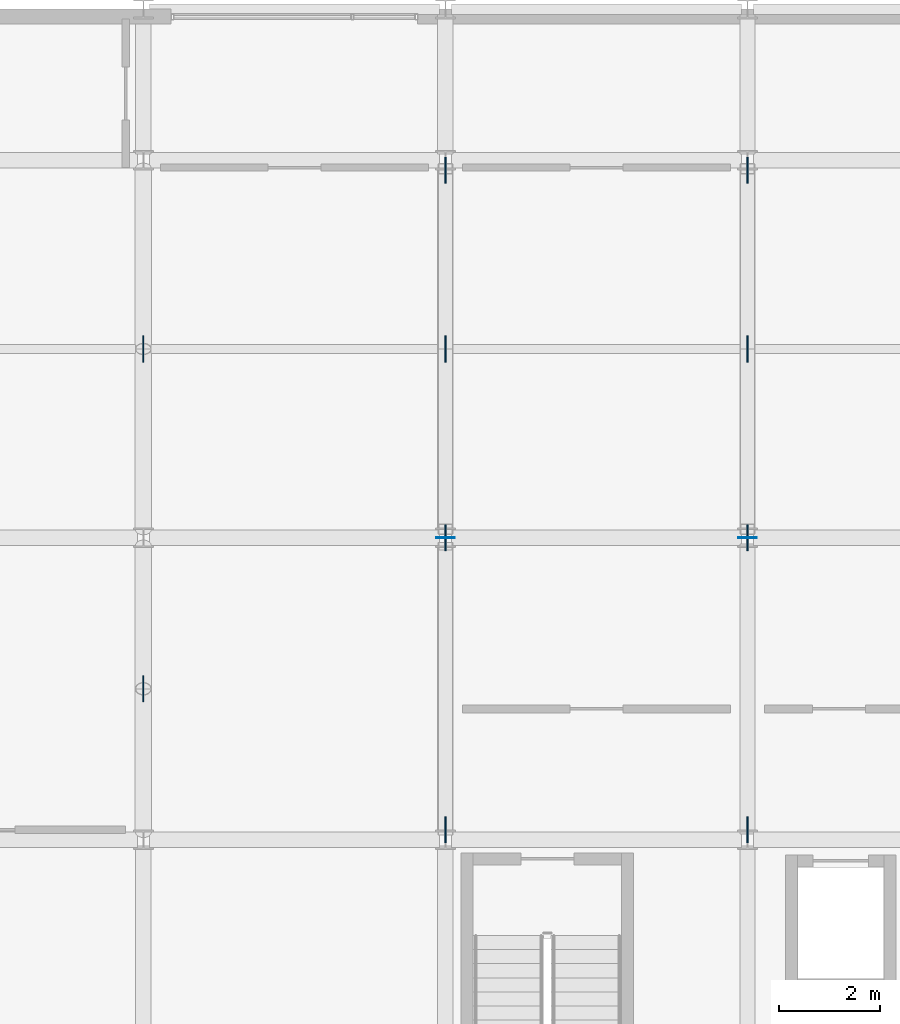
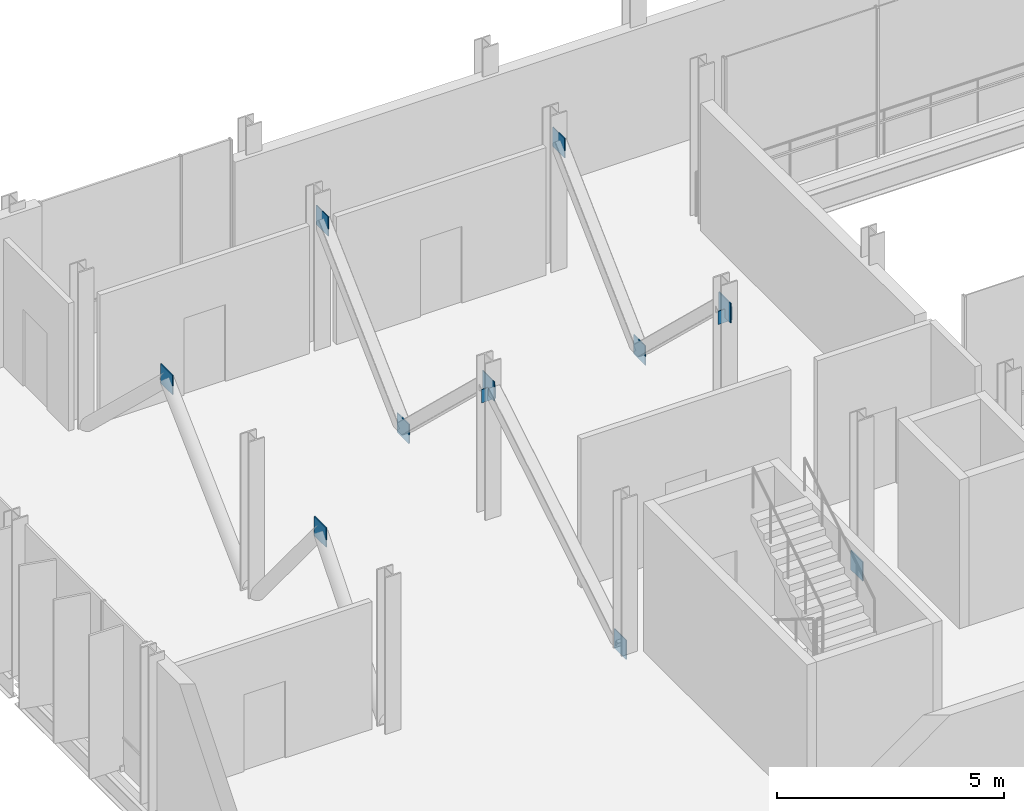
# One storey, part 25 of 33: 12 plates.
"""IFC4 building model written with IfcOpenShell, lengths in metres."""

from ifc_helpers import new_model, si_unit, direction, frame, origin, origin_2d, place, context, subcontext, project, spatial, rectangle, extrude, material, layer, layer_set, type_object, element, save


model = new_model("IFC4")

# Units and contexts
model_context = context("Model", 3, precision=1e-05, world=origin(), true_north=direction((0.0, 1.0)))
body_context = subcontext(model_context, "Body", "Model", "MODEL_VIEW")
ifc_project = project(units=[si_unit("LENGTHUNIT", "METRE"), si_unit("AREAUNIT", "SQUARE_METRE"), si_unit("VOLUMEUNIT", "CUBIC_METRE"), si_unit("PLANEANGLEUNIT", "RADIAN"), si_unit("MASSUNIT", "GRAM", prefix="KILO")], contexts=[model_context])

# Site, building, storey
site_placement = place(None, origin())
site = spatial("IfcSite", under=ifc_project, at=site_placement, CompositionType="ELEMENT")
building_placement = place(site_placement, origin())
building = spatial("IfcBuilding", under=site, at=building_placement, Name="Brevholm Reach", CompositionType="ELEMENT")
storey_placement = place(building_placement, frame((0.0, 0.0, 179.0)))
storey = spatial("IfcBuildingStorey", under=building, at=storey_placement, Name="L54", CompositionType="ELEMENT", Elevation=179.0)

# Plates
ifc_material_1 = material(Name="Structural Steel S460NH", Category="steel")
ifc_layer_1 = layer(ifc_material_1, 0.013916015625)
ifc_layer_set_1 = layer_set([ifc_layer_1], Name="Structural Steel S460NH")
plate_type_1 = type_object("IfcPlateType", Name="PLT-CAP-14", PredefinedType="USERDEFINED", material=ifc_layer_set_1)
for number, where, z_axis, x_axis, name in (
    (1, (12.0, 16.0, 3.03564453125), (0.0, 0.0, 1.0), (1.0, 0.0, 0.0), "L54 Outrigger Chord End-Cap X12"),
    (2, (18.0, 16.0, 3.03564453125), (0.0, 0.0, 1.0), (1.0, 0.0, 0.0), "L54 Outrigger Chord End-Cap X18"),
):
    element("IfcPlate", number, at=place(storey_placement, frame(where, z_axis=z_axis, x_axis=x_axis)), inside=storey, type_object=plate_type_1, Name=name, ObjectType="STIFFENER_PLATE", PredefinedType="USERDEFINED", context=body_context, shape_type="SweptSolid", body=[
        extrude(rectangle(XDim=0.360107421875, YDim=0.013916015625, at=origin_2d()), origin(), (0.0, 0.0, 1.0), 0.360107421875),
    ])
ifc_material_2 = material(Name="Structural Steel S355J2", Category="steel")
ifc_layer_2 = layer(ifc_material_2, 0.02392578125)
ifc_layer_set_2 = layer_set([ifc_layer_2], Name="Structural Steel S355J2")
plate_type_2 = type_object("IfcPlateType", Name="PLT-GUS-24", PredefinedType="USERDEFINED", material=ifc_layer_set_2)
for number, where, z_axis, x_axis, name in (
    (3, (12.0, 10.199951171875, -0.239990234375), (0.0, 0.0, 1.0), (1.0, 0.0, 0.0), "L54 Outrigger Node Gusset X12-10"),
    (4, (12.0, 16.0, 3.175537109375), (0.0, 0.0, 1.0), (1.0, 0.0, 0.0), "L54 Outrigger Node Gusset X12-16"),
    (5, (12.0, 19.75, -0.239990234375), (0.0, 0.0, 1.0), (1.0, 0.0, 0.0), "L54 Outrigger Node Gusset X12-19"),
    (6, (12.0, 23.300048828125, 3.175537109375), (0.0, 0.0, 1.0), (1.0, 0.0, 0.0), "L54 Outrigger Node Gusset X12-23"),
    (7, (18.0, 10.199951171875, -0.239990234375), (0.0, 0.0, 1.0), (1.0, 0.0, 0.0), "L54 Outrigger Node Gusset X18-10"),
    (8, (18.0, 16.0, 3.175537109375), (0.0, 0.0, 1.0), (1.0, 0.0, 0.0), "L54 Outrigger Node Gusset X18-16"),
    (9, (18.0, 19.75, -0.239990234375), (0.0, 0.0, 1.0), (1.0, 0.0, 0.0), "L54 Outrigger Node Gusset X18-19"),
    (10, (18.0, 23.300048828125, 3.175537109375), (0.0, 0.0, 1.0), (1.0, 0.0, 0.0), "L54 Outrigger Node Gusset X18-23"),
    (11, (6.0, 13.0, 3.175537109375), (0.0, 0.0, 1.0), (1.0, 0.0, 0.0), "L54 Belt Truss Apex Gusset BB-01"),
    (12, (6.0, 19.75, 3.175537109375), (0.0, 0.0, 1.0), (1.0, 0.0, 0.0), "L54 Belt Truss Apex Gusset BB-02"),
):
    element("IfcPlate", number, at=place(storey_placement, frame(where, z_axis=z_axis, x_axis=x_axis)), inside=storey, type_object=plate_type_2, Name=name, ObjectType="GUSSET_PLATE", PredefinedType="USERDEFINED", context=body_context, shape_type="SweptSolid", body=[
        extrude(rectangle(XDim=0.02392578125, YDim=0.52001953125, at=origin_2d()), origin(), (0.0, 0.0, 1.0), 0.52001953125),
    ])

save(model, "model.ifc")
